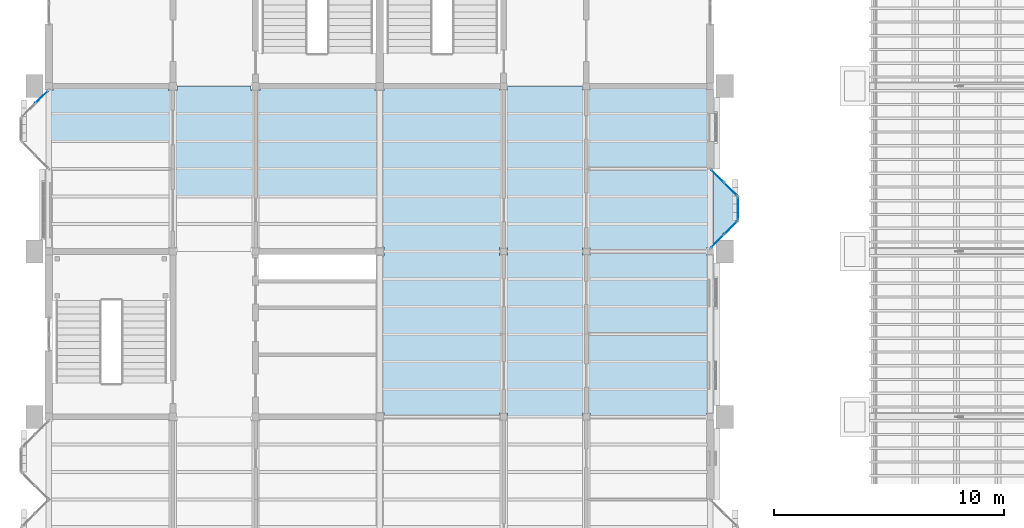
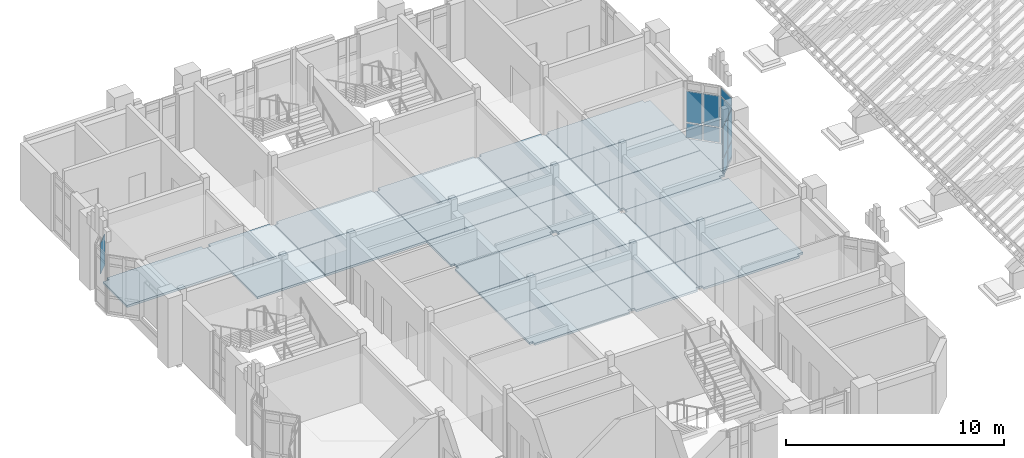
# One storey, part 28 of 71: 24 slabs, 12 plates, 4 elements without a shape of their own.
"""IFC4 building model written with IfcOpenShell, lengths in metres."""

from ifc_helpers import new_model, si_unit, direction, frame, origin, origin_2d, place, context, subcontext, project, spatial, polyline, rectangle, outline, extrude, material, layer, layer_set, type_object, element, aggregate, save


model = new_model("IFC4")

# Units and contexts
model_context = context("Model", 3, precision=1e-05, world=origin(), true_north=direction((0.0, 1.0)))
body_context = subcontext(model_context, "Body", "Model", "MODEL_VIEW")
ifc_project = project(units=[si_unit("LENGTHUNIT", "METRE"), si_unit("AREAUNIT", "SQUARE_METRE"), si_unit("VOLUMEUNIT", "CUBIC_METRE"), si_unit("PLANEANGLEUNIT", "RADIAN"), si_unit("MASSUNIT", "GRAM", prefix="KILO")], contexts=[model_context])

# Site, building, storey
site_placement = place(None, origin())
site = spatial("IfcSite", under=ifc_project, at=site_placement, CompositionType="ELEMENT")
building_placement = place(site_placement, origin())
building = spatial("IfcBuilding", under=site, at=building_placement, Name="Mazhai Court Health Centre", CompositionType="ELEMENT")
storey_placement = place(building_placement, frame((0.0, 0.0, 10.199951171875)))
storey = spatial("IfcBuildingStorey", under=building, at=storey_placement, Name="L02", CompositionType="ELEMENT", Elevation=10.199951171875)

# Slabs
ifc_material_1 = material(Name="CLT C24 5-ply", Category="wood")
ifc_layer_1 = layer(ifc_material_1, 0.1201171875)
ifc_layer_set_1 = layer_set([ifc_layer_1], Name="CLT C24 5-ply 120 floor panel")
slab_type_1 = type_object("IfcSlabType", Name="CLT C24 5-ply 120 floor panel", PredefinedType="FLOOR", material=ifc_layer_set_1)
slab_1_placement = place(storey_placement, frame((0.0, 0.0, -0.119873046875)))
element("IfcSlab", 1, at=slab_1_placement, inside=storey, type_object=slab_type_1, Name="slab-V2-L02-b3-A2", PredefinedType="FLOOR", context=body_context, shape_type="SweptSolid", body=[
    extrude(outline(polyline([(11.590087890625, 32.610107421875), (11.590087890625, 34.81005859375), (11.409912109375, 34.81005859375), (11.409912109375, 35.0), (6.389892578125, 35.0), (6.389892578125, 34.81005859375), (6.080078125, 34.81005859375), (6.080078125, 32.610107421875), (11.590087890625, 32.610107421875)])), origin(), (0.0, 0.0, 1.0), 0.119873046875),
])
slab_2_placement = place(storey_placement, frame((0.0, 0.0, -0.119873046875)))
element("IfcSlab", 2, at=slab_2_placement, inside=storey, type_object=slab_type_1, Name="slab-V2-L02-b3-C1", PredefinedType="FLOOR", context=body_context, shape_type="SweptSolid", body=[
    extrude(outline(polyline([(11.610107421875, 30.2099609375), (15.18994140625, 30.2099609375), (15.18994140625, 32.590087890625), (11.610107421875, 32.590087890625), (11.610107421875, 30.2099609375)])), origin(), (0.0, 0.0, 1.0), 0.119873046875),
])
slab_3_placement = place(storey_placement, frame((0.0, 0.0, -0.119873046875)))
element("IfcSlab", 3, at=slab_3_placement, inside=storey, type_object=slab_type_1, Name="slab-V2-L02-b3-C2", PredefinedType="FLOOR", context=body_context, shape_type="SweptSolid", body=[
    extrude(outline(polyline([(15.18994140625, 32.610107421875), (15.18994140625, 34.81005859375), (15.010009765625, 34.81005859375), (15.010009765625, 35.0), (11.7900390625, 35.0), (11.7900390625, 34.81005859375), (11.610107421875, 34.81005859375), (11.610107421875, 32.610107421875), (15.18994140625, 32.610107421875)])), origin(), (0.0, 0.0, 1.0), 0.119873046875),
])
slab_4_placement = place(storey_placement, frame((0.0, 0.0, -0.119873046875)))
element("IfcSlab", 4, at=slab_4_placement, inside=storey, type_object=slab_type_1, Name="slab-V2-L02-b3-B1", PredefinedType="FLOOR", context=body_context, shape_type="SweptSolid", body=[
    extrude(outline(polyline([(15.2099609375, 30.2099609375), (20.590087890625, 30.2099609375), (20.590087890625, 32.590087890625), (15.2099609375, 32.590087890625), (15.2099609375, 30.2099609375)])), origin(), (0.0, 0.0, 1.0), 0.119873046875),
])
slab_5_placement = place(storey_placement, frame((0.0, 0.0, -0.119873046875)))
element("IfcSlab", 5, at=slab_5_placement, inside=storey, type_object=slab_type_1, Name="slab-V2-L02-b3-B2", PredefinedType="FLOOR", context=body_context, shape_type="SweptSolid", body=[
    extrude(outline(polyline([(20.590087890625, 32.610107421875), (20.590087890625, 34.81005859375), (20.409912109375, 34.81005859375), (20.409912109375, 35.0), (15.389892578125, 35.0), (15.389892578125, 34.81005859375), (15.2099609375, 34.81005859375), (15.2099609375, 32.610107421875), (20.590087890625, 32.610107421875)])), origin(), (0.0, 0.0, 1.0), 0.119873046875),
])
slab_6_placement = place(storey_placement, frame((0.0, 0.0, -0.119873046875)))
element("IfcSlab", 6, at=slab_6_placement, inside=storey, type_object=slab_type_1, Name="slab-V5-L02-b2-A0", PredefinedType="FLOOR", context=body_context, shape_type="SweptSolid", body=[
    extrude(outline(polyline([(20.610107421875, 22.989990234375), (20.610107421875, 20.7900390625), (20.7900390625, 20.7900390625), (20.7900390625, 20.60009765625), (25.830078125, 20.60009765625), (25.830078125, 20.77001953125), (25.989990234375, 20.77001953125), (25.989990234375, 22.989990234375), (20.610107421875, 22.989990234375)])), origin(), (0.0, 0.0, 1.0), 0.119873046875),
])
slab_7_placement = place(storey_placement, frame((0.0, 0.0, -0.119873046875)))
element("IfcSlab", 7, at=slab_7_placement, inside=storey, type_object=slab_type_1, Name="slab-V5-L02-b2-A1", PredefinedType="FLOOR", context=body_context, shape_type="SweptSolid", body=[
    extrude(outline(polyline([(20.610107421875, 23.010009765625), (25.989990234375, 23.010009765625), (25.989990234375, 25.389892578125), (20.610107421875, 25.389892578125), (20.610107421875, 23.010009765625)])), origin(), (0.0, 0.0, 1.0), 0.119873046875),
])
slab_8_placement = place(storey_placement, frame((0.0, 0.0, -0.119873046875)))
element("IfcSlab", 8, at=slab_8_placement, inside=storey, type_object=slab_type_1, Name="slab-V5-L02-b2-A2", PredefinedType="FLOOR", context=body_context, shape_type="SweptSolid", body=[
    extrude(outline(polyline([(25.989990234375, 25.409912109375), (25.989990234375, 27.6298828125), (25.830078125, 27.6298828125), (25.830078125, 27.800048828125), (20.7900390625, 27.800048828125), (20.7900390625, 27.610107421875), (20.610107421875, 27.610107421875), (20.610107421875, 25.409912109375), (25.989990234375, 25.409912109375)])), origin(), (0.0, 0.0, 1.0), 0.119873046875),
])
slab_9_placement = place(storey_placement, frame((0.0, 0.0, -0.119873046875)))
element("IfcSlab", 9, at=slab_9_placement, inside=storey, type_object=slab_type_1, Name="slab-V5-L02-b2-C0", PredefinedType="FLOOR", context=body_context, shape_type="SweptSolid", body=[
    extrude(outline(polyline([(26.010009765625, 22.989990234375), (26.010009765625, 20.77001953125), (26.169921875, 20.77001953125), (26.169921875, 20.60009765625), (29.429931640625, 20.60009765625), (29.429931640625, 20.77001953125), (29.590087890625, 20.77001953125), (29.590087890625, 22.989990234375), (26.010009765625, 22.989990234375)])), origin(), (0.0, 0.0, 1.0), 0.119873046875),
])
slab_10_placement = place(storey_placement, frame((0.0, 0.0, -0.119873046875)))
element("IfcSlab", 10, at=slab_10_placement, inside=storey, type_object=slab_type_1, Name="slab-V5-L02-b2-C1", PredefinedType="FLOOR", context=body_context, shape_type="SweptSolid", body=[
    extrude(outline(polyline([(26.010009765625, 23.010009765625), (29.590087890625, 23.010009765625), (29.590087890625, 25.389892578125), (26.010009765625, 25.389892578125), (26.010009765625, 23.010009765625)])), origin(), (0.0, 0.0, 1.0), 0.119873046875),
])
slab_11_placement = place(storey_placement, frame((0.0, 0.0, -0.119873046875)))
element("IfcSlab", 11, at=slab_11_placement, inside=storey, type_object=slab_type_1, Name="slab-V5-L02-b2-C2", PredefinedType="FLOOR", context=body_context, shape_type="SweptSolid", body=[
    extrude(outline(polyline([(29.590087890625, 25.409912109375), (29.590087890625, 27.6298828125), (29.429931640625, 27.6298828125), (29.429931640625, 27.800048828125), (26.169921875, 27.800048828125), (26.169921875, 27.6298828125), (26.010009765625, 27.6298828125), (26.010009765625, 25.409912109375), (29.590087890625, 25.409912109375)])), origin(), (0.0, 0.0, 1.0), 0.119873046875),
])
slab_12_placement = place(storey_placement, frame((0.0, 0.0, -0.119873046875)))
element("IfcSlab", 12, at=slab_12_placement, inside=storey, type_object=slab_type_1, Name="slab-V5-L02-b2-B0", PredefinedType="FLOOR", context=body_context, shape_type="SweptSolid", body=[
    extrude(outline(polyline([(29.610107421875, 22.989990234375), (29.610107421875, 20.77001953125), (29.77001953125, 20.77001953125), (29.77001953125, 20.60009765625), (34.830078125, 20.60009765625), (34.830078125, 20.77001953125), (35.1201171875, 20.77001953125), (35.1201171875, 22.989990234375), (29.610107421875, 22.989990234375)])), origin(), (0.0, 0.0, 1.0), 0.119873046875),
])
slab_13_placement = place(storey_placement, frame((0.0, 0.0, -0.119873046875)))
element("IfcSlab", 13, at=slab_13_placement, inside=storey, type_object=slab_type_1, Name="slab-V5-L02-b2-B1", PredefinedType="FLOOR", context=body_context, shape_type="SweptSolid", body=[
    extrude(outline(polyline([(29.610107421875, 23.010009765625), (35.1201171875, 23.010009765625), (35.1201171875, 25.389892578125), (29.610107421875, 25.389892578125), (29.610107421875, 23.010009765625)])), origin(), (0.0, 0.0, 1.0), 0.119873046875),
])
slab_14_placement = place(storey_placement, frame((0.0, 0.0, -0.119873046875)))
element("IfcSlab", 14, at=slab_14_placement, inside=storey, type_object=slab_type_1, Name="slab-V5-L02-b2-B2", PredefinedType="FLOOR", context=body_context, shape_type="SweptSolid", body=[
    extrude(outline(polyline([(35.1201171875, 25.409912109375), (35.1201171875, 27.6298828125), (34.830078125, 27.6298828125), (34.830078125, 27.800048828125), (29.77001953125, 27.800048828125), (29.77001953125, 27.6298828125), (29.610107421875, 27.6298828125), (29.610107421875, 25.409912109375), (35.1201171875, 25.409912109375)])), origin(), (0.0, 0.0, 1.0), 0.119873046875),
])
slab_15_placement = place(storey_placement, frame((0.0, 0.0, -0.119873046875)))
element("IfcSlab", 15, at=slab_15_placement, inside=storey, type_object=slab_type_1, Name="slab-V5-L02-b3-A0", PredefinedType="FLOOR", context=body_context, shape_type="SweptSolid", body=[
    extrude(outline(polyline([(20.610107421875, 30.18994140625), (20.610107421875, 27.989990234375), (20.7900390625, 27.989990234375), (20.7900390625, 27.800048828125), (25.830078125, 27.800048828125), (25.830078125, 27.969970703125), (25.989990234375, 27.969970703125), (25.989990234375, 30.18994140625), (20.610107421875, 30.18994140625)])), origin(), (0.0, 0.0, 1.0), 0.119873046875),
])
slab_16_placement = place(storey_placement, frame((0.0, 0.0, -0.119873046875)))
element("IfcSlab", 16, at=slab_16_placement, inside=storey, type_object=slab_type_1, Name="slab-V5-L02-b3-A1", PredefinedType="FLOOR", context=body_context, shape_type="SweptSolid", body=[
    extrude(outline(polyline([(20.610107421875, 30.2099609375), (25.989990234375, 30.2099609375), (25.989990234375, 32.590087890625), (20.610107421875, 32.590087890625), (20.610107421875, 30.2099609375)])), origin(), (0.0, 0.0, 1.0), 0.119873046875),
])
slab_17_placement = place(storey_placement, frame((0.0, 0.0, -0.119873046875)))
element("IfcSlab", 17, at=slab_17_placement, inside=storey, type_object=slab_type_1, Name="slab-V5-L02-b3-A2", PredefinedType="FLOOR", context=body_context, shape_type="SweptSolid", body=[
    extrude(outline(polyline([(25.989990234375, 32.610107421875), (25.989990234375, 34.830078125), (25.830078125, 34.830078125), (25.830078125, 35.0), (20.7900390625, 35.0), (20.7900390625, 34.81005859375), (20.610107421875, 34.81005859375), (20.610107421875, 32.610107421875), (25.989990234375, 32.610107421875)])), origin(), (0.0, 0.0, 1.0), 0.119873046875),
])
slab_18_placement = place(storey_placement, frame((0.0, 0.0, -0.119873046875)))
element("IfcSlab", 18, at=slab_18_placement, inside=storey, type_object=slab_type_1, Name="slab-V5-L02-b3-C0", PredefinedType="FLOOR", context=body_context, shape_type="SweptSolid", body=[
    extrude(outline(polyline([(26.010009765625, 30.18994140625), (26.010009765625, 27.969970703125), (26.169921875, 27.969970703125), (26.169921875, 27.800048828125), (29.429931640625, 27.800048828125), (29.429931640625, 27.969970703125), (29.590087890625, 27.969970703125), (29.590087890625, 30.18994140625), (26.010009765625, 30.18994140625)])), origin(), (0.0, 0.0, 1.0), 0.119873046875),
])
slab_19_placement = place(storey_placement, frame((0.0, 0.0, -0.119873046875)))
element("IfcSlab", 19, at=slab_19_placement, inside=storey, type_object=slab_type_1, Name="slab-V5-L02-b3-C1", PredefinedType="FLOOR", context=body_context, shape_type="SweptSolid", body=[
    extrude(outline(polyline([(26.010009765625, 30.2099609375), (29.590087890625, 30.2099609375), (29.590087890625, 32.590087890625), (26.010009765625, 32.590087890625), (26.010009765625, 30.2099609375)])), origin(), (0.0, 0.0, 1.0), 0.119873046875),
])
slab_20_placement = place(storey_placement, frame((0.0, 0.0, -0.119873046875)))
element("IfcSlab", 20, at=slab_20_placement, inside=storey, type_object=slab_type_1, Name="slab-V5-L02-b3-C2", PredefinedType="FLOOR", context=body_context, shape_type="SweptSolid", body=[
    extrude(outline(polyline([(29.590087890625, 32.610107421875), (29.590087890625, 34.830078125), (29.429931640625, 34.830078125), (29.429931640625, 35.0), (26.169921875, 35.0), (26.169921875, 34.830078125), (26.010009765625, 34.830078125), (26.010009765625, 32.610107421875), (29.590087890625, 32.610107421875)])), origin(), (0.0, 0.0, 1.0), 0.119873046875),
])
slab_21_placement = place(storey_placement, frame((0.0, 0.0, -0.119873046875)))
element("IfcSlab", 21, at=slab_21_placement, inside=storey, type_object=slab_type_1, Name="slab-V5-L02-b3-B0", PredefinedType="FLOOR", context=body_context, shape_type="SweptSolid", body=[
    extrude(outline(polyline([(29.610107421875, 30.18994140625), (29.610107421875, 27.969970703125), (29.77001953125, 27.969970703125), (29.77001953125, 27.800048828125), (34.830078125, 27.800048828125), (34.830078125, 27.969970703125), (35.1201171875, 27.969970703125), (35.1201171875, 30.18994140625), (29.610107421875, 30.18994140625)])), origin(), (0.0, 0.0, 1.0), 0.119873046875),
])
slab_22_placement = place(storey_placement, frame((0.0, 0.0, -0.119873046875)))
element("IfcSlab", 22, at=slab_22_placement, inside=storey, type_object=slab_type_1, Name="slab-V5-L02-b3-B1", PredefinedType="FLOOR", context=body_context, shape_type="SweptSolid", body=[
    extrude(outline(polyline([(29.610107421875, 30.2099609375), (35.1201171875, 30.2099609375), (35.1201171875, 32.590087890625), (29.610107421875, 32.590087890625), (29.610107421875, 30.2099609375)])), origin(), (0.0, 0.0, 1.0), 0.119873046875),
])
slab_23_placement = place(storey_placement, frame((0.0, 0.0, -0.119873046875)))
element("IfcSlab", 23, at=slab_23_placement, inside=storey, type_object=slab_type_1, Name="slab-V5-L02-b3-B2", PredefinedType="FLOOR", context=body_context, shape_type="SweptSolid", body=[
    extrude(outline(polyline([(35.1201171875, 32.610107421875), (35.1201171875, 34.830078125), (34.830078125, 34.830078125), (34.830078125, 35.0), (29.77001953125, 35.0), (29.77001953125, 34.830078125), (29.610107421875, 34.830078125), (29.610107421875, 32.610107421875), (35.1201171875, 32.610107421875)])), origin(), (0.0, 0.0, 1.0), 0.119873046875),
])

# Curtain wall, plate
ifc_material_2 = material(Name="Teak timber frame, glazed", Category="wood")
ifc_layer_2 = layer(ifc_material_2, 0.10009765625)
ifc_layer_set_2 = layer_set([ifc_layer_2], Name="CURTAIN WALL TIMBER 900")
curtain_wall_type = type_object("IfcCurtainWallType", Name="CURTAIN WALL TIMBER 900", PredefinedType="NOTDEFINED", material=ifc_layer_set_2)
curtain_wall_1_placement = place(storey_placement, origin())
curtain_wall_1 = element("IfcCurtainWall", 24, at=curtain_wall_1_placement, inside=storey, type_object=curtain_wall_type, Name="CW-ORIEL-V2-L02-A31-2", PredefinedType="NOTDEFINED")
ifc_material_3 = material(Name="Glass IGU 28 mm", Category="glass")
ifc_layer_3 = layer(ifc_material_3, 0.028076171875)
ifc_layer_set_3 = layer_set([ifc_layer_3], Name="CW PANEL IGU 28")
plate_type = type_object("IfcPlateType", Name="CW PANEL IGU 28", PredefinedType="CURTAIN_PANEL", material=ifc_layer_set_3)
plate_1_placement = place(storey_placement, frame((5.889404296875, 34.529296875, 0.93017578125), z_axis=(0.0, 0.0, 1.0), x_axis=(0.707106781187, 0.707106781187, 0.0)))
plate_1 = element("IfcPlate", 25, at=plate_1_placement, type_object=plate_type, Name="CW panel 2.2", PredefinedType="CURTAIN_PANEL", context=body_context, shape_type="SweptSolid", body=[
    extrude(rectangle(XDim=0.758544921875, YDim=0.028076171875, at=origin_2d()), origin(), (0.0, 0.0, 1.0), 1.739990234375),
])
aggregate(curtain_wall_1, [plate_1])

# Curtain wall, plates
curtain_wall_2_placement = place(storey_placement, origin())
curtain_wall_2 = element("IfcCurtainWall", 26, at=curtain_wall_2_placement, inside=storey, type_object=curtain_wall_type, Name="CW-ORIEL-V5-L02-B30-0", PredefinedType="NOTDEFINED")
plate_2_placement = place(storey_placement, frame((35.310546875, 28.25048828125, 0.06005859375), z_axis=(0.0, 0.0, 1.0), x_axis=(0.707106781187, 0.707106781187, 0.0)))
plate_2 = element("IfcPlate", 27, at=plate_2_placement, type_object=plate_type, Name="CW panel 1.1", PredefinedType="CURTAIN_PANEL", context=body_context, shape_type="SweptSolid", body=[
    extrude(rectangle(XDim=0.758544921875, YDim=0.028076171875, at=origin_2d()), origin(), (0.0, 0.0, 1.0), 0.81005859375),
])
plate_3_placement = place(storey_placement, frame((35.310546875, 28.25048828125, 0.93017578125), z_axis=(0.0, 0.0, 1.0), x_axis=(0.707106781187, 0.707106781187, 0.0)))
plate_3 = element("IfcPlate", 28, at=plate_3_placement, type_object=plate_type, Name="CW panel 1.2", PredefinedType="CURTAIN_PANEL", context=body_context, shape_type="SweptSolid", body=[
    extrude(rectangle(XDim=0.758544921875, YDim=0.028076171875, at=origin_2d()), origin(), (0.0, 0.0, 1.0), 1.739990234375),
])
plate_4_placement = place(storey_placement, frame((35.889404296875, 28.829345703125, 0.06005859375), z_axis=(0.0, 0.0, 1.0), x_axis=(0.707106781187, 0.707106781187, 0.0)))
plate_4 = element("IfcPlate", 29, at=plate_4_placement, type_object=plate_type, Name="CW panel 2.1", PredefinedType="CURTAIN_PANEL", context=body_context, shape_type="SweptSolid", body=[
    extrude(rectangle(XDim=0.758544921875, YDim=0.028076171875, at=origin_2d()), origin(), (0.0, 0.0, 1.0), 0.81005859375),
])
plate_5_placement = place(storey_placement, frame((35.889404296875, 28.829345703125, 0.93017578125), z_axis=(0.0, 0.0, 1.0), x_axis=(0.707106781187, 0.707106781187, 0.0)))
plate_5 = element("IfcPlate", 30, at=plate_5_placement, type_object=plate_type, Name="CW panel 2.2", PredefinedType="CURTAIN_PANEL", context=body_context, shape_type="SweptSolid", body=[
    extrude(rectangle(XDim=0.758544921875, YDim=0.028076171875, at=origin_2d()), origin(), (0.0, 0.0, 1.0), 1.739990234375),
])
aggregate(curtain_wall_2, [plate_2, plate_3, plate_4, plate_5])

curtain_wall_3_placement = place(storey_placement, origin())
curtain_wall_3 = element("IfcCurtainWall", 31, at=curtain_wall_3_placement, inside=storey, type_object=curtain_wall_type, Name="CW-ORIEL-V5-L02-B30-1", PredefinedType="NOTDEFINED")
plate_6_placement = place(storey_placement, frame((36.199951171875, 29.669921875, 0.06005859375), z_axis=(0.0, 0.0, 1.0), x_axis=(0.0, 1.0, 0.0)))
plate_6 = element("IfcPlate", 32, at=plate_6_placement, type_object=plate_type, Name="CW panel 1.1", PredefinedType="CURTAIN_PANEL", context=body_context, shape_type="SweptSolid", body=[
    extrude(rectangle(XDim=0.93994140625, YDim=0.028076171875, at=origin_2d()), origin(), (0.0, 0.0, 1.0), 0.81005859375),
])
plate_7_placement = place(storey_placement, frame((36.199951171875, 29.669921875, 0.93017578125), z_axis=(0.0, 0.0, 1.0), x_axis=(0.0, 1.0, 0.0)))
plate_7 = element("IfcPlate", 33, at=plate_7_placement, type_object=plate_type, Name="CW panel 1.2", PredefinedType="CURTAIN_PANEL", context=body_context, shape_type="SweptSolid", body=[
    extrude(rectangle(XDim=0.93994140625, YDim=0.028076171875, at=origin_2d()), origin(), (0.0, 0.0, 1.0), 1.739990234375),
])
plate_8_placement = place(storey_placement, frame((36.199951171875, 29.669921875, 2.72998046875), z_axis=(0.0, 0.0, 1.0), x_axis=(0.0, 1.0, 0.0)))
plate_8 = element("IfcPlate", 34, at=plate_8_placement, type_object=plate_type, Name="CW panel 1.3", PredefinedType="CURTAIN_PANEL", context=body_context, shape_type="SweptSolid", body=[
    extrude(rectangle(XDim=0.93994140625, YDim=0.028076171875, at=origin_2d()), origin(), (0.0, 0.0, 1.0), 0.429931640625),
])
aggregate(curtain_wall_3, [plate_6, plate_7, plate_8])

curtain_wall_4_placement = place(storey_placement, origin())
curtain_wall_4 = element("IfcCurtainWall", 35, at=curtain_wall_4_placement, inside=storey, type_object=curtain_wall_type, Name="CW-ORIEL-V5-L02-B30-2", PredefinedType="NOTDEFINED")
plate_9_placement = place(storey_placement, frame((35.889404296875, 30.510498046875, 0.06005859375), z_axis=(0.0, 0.0, 1.0), x_axis=(-0.707106781187, 0.707106781187, 0.0)))
plate_9 = element("IfcPlate", 36, at=plate_9_placement, type_object=plate_type, Name="CW panel 1.1", PredefinedType="CURTAIN_PANEL", context=body_context, shape_type="SweptSolid", body=[
    extrude(rectangle(XDim=0.758544921875, YDim=0.028076171875, at=origin_2d()), origin(), (0.0, 0.0, 1.0), 0.81005859375),
])
plate_10_placement = place(storey_placement, frame((35.889404296875, 30.510498046875, 0.93017578125), z_axis=(0.0, 0.0, 1.0), x_axis=(-0.707106781187, 0.707106781187, 0.0)))
plate_10 = element("IfcPlate", 37, at=plate_10_placement, type_object=plate_type, Name="CW panel 1.2", PredefinedType="CURTAIN_PANEL", context=body_context, shape_type="SweptSolid", body=[
    extrude(rectangle(XDim=0.758544921875, YDim=0.028076171875, at=origin_2d()), origin(), (0.0, 0.0, 1.0), 1.739990234375),
])
plate_11_placement = place(storey_placement, frame((35.310546875, 31.08935546875, 0.06005859375), z_axis=(0.0, 0.0, 1.0), x_axis=(-0.707106781187, 0.707106781187, 0.0)))
plate_11 = element("IfcPlate", 38, at=plate_11_placement, type_object=plate_type, Name="CW panel 2.1", PredefinedType="CURTAIN_PANEL", context=body_context, shape_type="SweptSolid", body=[
    extrude(rectangle(XDim=0.758544921875, YDim=0.028076171875, at=origin_2d()), origin(), (0.0, 0.0, 1.0), 0.81005859375),
])
plate_12_placement = place(storey_placement, frame((35.310546875, 31.08935546875, 0.93017578125), z_axis=(0.0, 0.0, 1.0), x_axis=(-0.707106781187, 0.707106781187, 0.0)))
plate_12 = element("IfcPlate", 39, at=plate_12_placement, type_object=plate_type, Name="CW panel 2.2", PredefinedType="CURTAIN_PANEL", context=body_context, shape_type="SweptSolid", body=[
    extrude(rectangle(XDim=0.758544921875, YDim=0.028076171875, at=origin_2d()), origin(), (0.0, 0.0, 1.0), 1.739990234375),
])
aggregate(curtain_wall_4, [plate_9, plate_10, plate_11, plate_12])

# Slab
ifc_material_4 = material(Name="CLT C24 5-ply", Category="wood")
ifc_layer_4 = layer(ifc_material_4, 0.179931640625)
ifc_layer_set_4 = layer_set([ifc_layer_4], Name="ORIEL FLOOR 180")
slab_type_2 = type_object("IfcSlabType", Name="ORIEL FLOOR 180", PredefinedType="FLOOR", material=ifc_layer_set_4)
slab_24_placement = place(storey_placement, frame((0.0, 0.0, -0.179931640625)))
element("IfcSlab", 40, at=slab_24_placement, inside=storey, type_object=slab_type_2, Name="OF-V5-L02-B30", PredefinedType="FLOOR", context=body_context, shape_type="SweptSolid", body=[
    extrude(outline(polyline([(35.1201171875, 28.06005859375), (36.199951171875, 29.139892578125), (36.199951171875, 30.199951171875), (35.1201171875, 31.280029296875), (35.1201171875, 28.06005859375)])), origin(), (0.0, 0.0, 1.0), 0.179931640625),
])

save(model, "model.ifc")
